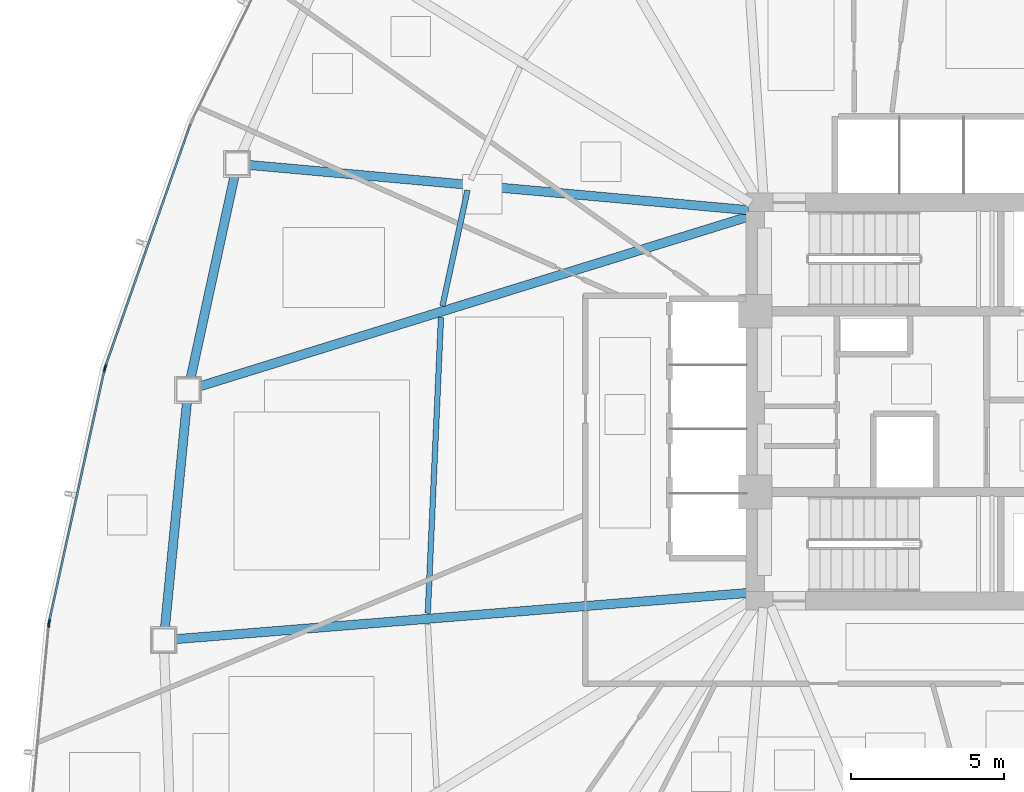
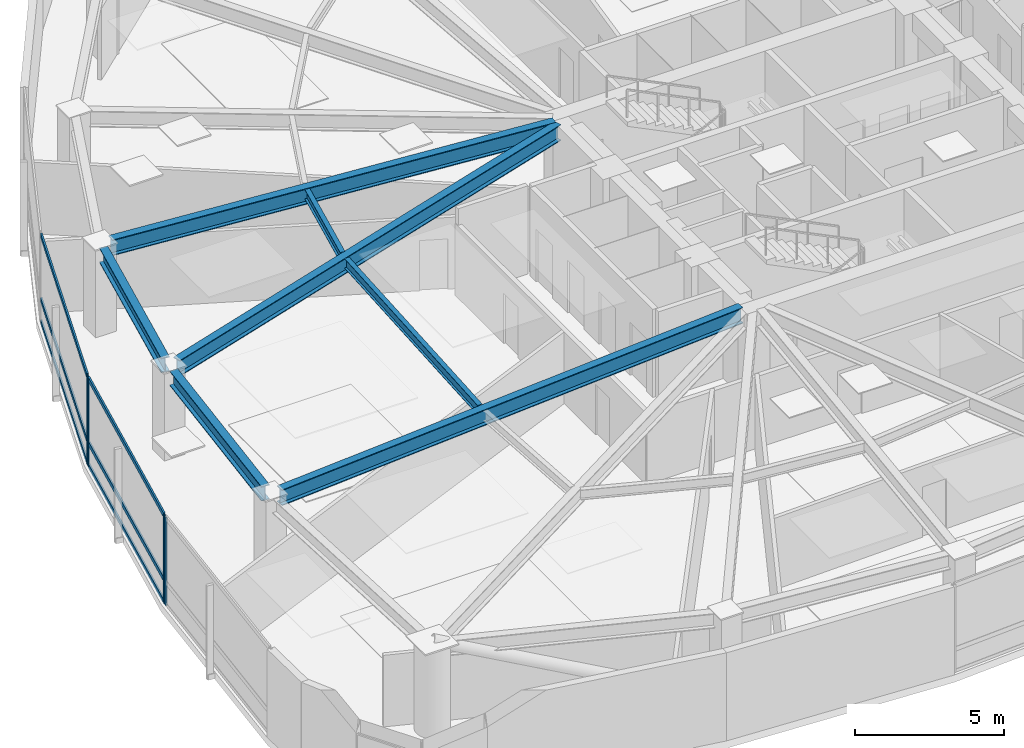
# One storey, part 4 of 18: 10 members, 7 beams, 3 elements without a shape of their own.
"""IFC4 building model written with IfcOpenShell, lengths in metres."""

import ifcopenshell
import ifcopenshell.guid

model = None  # the IFC model being written
_history = None  # IfcOwnerHistory: only IFC2X3 demands one
_inside = {}  # id of a spatial element -> (the spatial element, [elements in it])
_under = {}  # id of a project, library or spatial element -> (it, [spatial elements below it])
_declared = {}  # id of a project -> (the project, [libraries it declares])
_typed = {}  # id of a type object -> (the type object, [elements of that type])
_made_of = {}  # id of a material, layer set ... -> (it, [elements and type objects made of it])


def new_model(schema):
    """Start an empty IFC model of exactly this schema.

    Asked for "IFC4X3", IfcOpenShell would pick the latest addendum, in which some entities
    have other attributes; the version numbers below select the first issue.
    IFC2X3 requires an IfcOwnerHistory on every rooted entity: one is made here for all.
    """
    global model, _history
    if schema == "IFC4X3":
        model = ifcopenshell.file(schema_version=(4, 3, 0, 0))
    else:
        model = ifcopenshell.file(schema=schema)
    _inside.clear()
    _under.clear()
    _declared.clear()
    _typed.clear()
    _made_of.clear()
    _history = None
    if model.schema == "IFC2X3":
        org = make("IfcOrganization", Name="unknown")
        user = make(
            "IfcPersonAndOrganization",
            ThePerson=make("IfcPerson", FamilyName="unknown"),
            TheOrganization=org,
        )
        app = make(
            "IfcApplication",
            ApplicationDeveloper=org,
            Version="unknown",
            ApplicationFullName="unknown",
            ApplicationIdentifier="unknown",
        )
        _history = make(
            "IfcOwnerHistory",
            OwningUser=user,
            OwningApplication=app,
            ChangeAction="ADDED",
            CreationDate=0,
        )
    return model


def make(cls, **values):
    """One entity of the class cls with the attributes given. An attribute that is None is left unset."""
    return model.create_entity(
        cls, **{name: value for name, value in values.items() if value is not None}
    )


def rooted(cls, **values):
    """An entity with a GlobalId (a new one), such as an element, a storey or a relation."""
    return make(cls, GlobalId=ifcopenshell.guid.new(), OwnerHistory=_history, **values)


def si_unit(unit_type, name, prefix=None):
    """IfcSIUnit, for example si_unit("LENGTHUNIT", "METRE", prefix="MILLI")."""
    return make("IfcSIUnit", UnitType=unit_type, Prefix=prefix, Name=name)


def assignment(units):
    """IfcUnitAssignment: the units of a project."""
    return None if units is None else make("IfcUnitAssignment", Units=units)


def point(xyz):
    """IfcCartesianPoint."""
    return None if xyz is None else make("IfcCartesianPoint", Coordinates=xyz)


def direction(xyz):
    """IfcDirection."""
    return None if xyz is None else make("IfcDirection", DirectionRatios=xyz)


def frame(location, z_axis=None, x_axis=None):
    """IfcAxis2Placement3D, a coordinate frame: its origin and axes. An axis left out is left unset."""
    return make(
        "IfcAxis2Placement3D",
        Location=point(location),
        Axis=direction(z_axis),
        RefDirection=direction(x_axis),
    )


def frame_2d(location, x_axis=None):
    """IfcAxis2Placement2D, a coordinate frame in the plane: its origin and x axis."""
    return make(
        "IfcAxis2Placement2D", Location=point(location), RefDirection=direction(x_axis)
    )


def origin():
    """The frame at (0, 0, 0) with its axes left unset."""
    return frame((0.0, 0.0, 0.0))


def origin_2d():
    """The frame at (0, 0) in the plane with its x axis left unset."""
    return frame_2d((0.0, 0.0))


def place(relative_to, where):
    """IfcLocalPlacement: puts the frame where relative to a parent placement (None: the world)."""
    return make(
        "IfcLocalPlacement", PlacementRelTo=relative_to, RelativePlacement=where
    )


def context(
    kind, dimensions, precision=None, world=None, true_north=None, identifier=None
):
    """IfcGeometricRepresentationContext, for example the 3D "Model" context."""
    return make(
        "IfcGeometricRepresentationContext",
        ContextIdentifier=identifier,
        ContextType=kind,
        CoordinateSpaceDimension=dimensions,
        Precision=precision,
        WorldCoordinateSystem=world,
        TrueNorth=true_north,
    )


def subcontext(parent, identifier, kind, view, scale=None):
    """IfcGeometricRepresentationSubContext, for example "Body" below "Model"."""
    return make(
        "IfcGeometricRepresentationSubContext",
        ContextIdentifier=identifier,
        ContextType=kind,
        ParentContext=parent,
        TargetScale=scale,
        TargetView=view,
    )


def project(units=None, contexts=None):
    """IfcProject with its units and contexts."""
    return rooted(
        "IfcProject",
        Name="project",
        RepresentationContexts=contexts,
        UnitsInContext=assignment(units),
    )


def spatial(cls, under=None, at=None, **own):
    """A site, building, storey or space (cls), placed at a placement, below another one or the project."""
    s = rooted(cls, ObjectPlacement=at, **own)
    if under is not None:
        _under.setdefault(under.id(), (under, []))[1].append(s)
    return s


def profile(cls, at=None, kind="AREA", **sizes):
    """A parametric profile (cls). Its sizes go by their IFC names, for example OverallWidth=200.0."""
    return make(cls, ProfileType=kind, Position=at, **sizes)


def hollow_rectangle(**sizes):
    """IfcRectangleHollowProfileDef."""
    return profile("IfcRectangleHollowProfileDef", **sizes)


def i_section(**sizes):
    """IfcIShapeProfileDef."""
    return profile("IfcIShapeProfileDef", **sizes)


def extrude(swept, where, along, depth):
    """IfcExtrudedAreaSolid: the profile swept, set in the frame where, extruded along a direction by depth."""
    return make(
        "IfcExtrudedAreaSolid",
        SweptArea=swept,
        Position=where,
        ExtrudedDirection=direction(along),
        Depth=depth,
    )


def shape(context_of_items, identifier, shape_type, items):
    """IfcShapeRepresentation: the items that make up one representation, for example the "Body"."""
    return make(
        "IfcShapeRepresentation",
        ContextOfItems=context_of_items,
        RepresentationIdentifier=identifier,
        RepresentationType=shape_type,
        Items=items,
    )


def source(mapping_origin, context_of_items, identifier, shape_type, items):
    """IfcRepresentationMap: a shape defined once, which mapped items show again and again."""
    return make(
        "IfcRepresentationMap",
        MappingOrigin=mapping_origin,
        MappedRepresentation=shape(context_of_items, identifier, shape_type, items),
    )


def transform(
    local_origin,
    x_axis=None,
    y_axis=None,
    z_axis=None,
    scale=None,
    scale2=None,
    scale3=None,
    uniform=True,
):
    """IfcCartesianTransformationOperator3D, or its non-uniform kind. x_axis, y_axis, z_axis: its Axis1, 2, 3."""
    if uniform:
        return make(
            "IfcCartesianTransformationOperator3D",
            Axis1=direction(x_axis),
            Axis2=direction(y_axis),
            LocalOrigin=point(local_origin),
            Scale=scale,
            Axis3=direction(z_axis),
        )
    return make(
        "IfcCartesianTransformationOperator3DnonUniform",
        Axis1=direction(x_axis),
        Axis2=direction(y_axis),
        LocalOrigin=point(local_origin),
        Scale=scale,
        Axis3=direction(z_axis),
        Scale2=scale2,
        Scale3=scale3,
    )


def mapped(mapping_source, mapping_target):
    """IfcMappedItem: shows the shape of a source again, moved by a transform."""
    return make(
        "IfcMappedItem", MappingSource=mapping_source, MappingTarget=mapping_target
    )


def material(Name=None, Category=None):
    """IfcMaterial."""
    return make("IfcMaterial", Name=Name, Category=Category)


def layer(
    of_material, thickness, ventilated=None, Name=None, Category=None, Priority=None
):
    """IfcMaterialLayer: one layer of a wall or slab, of a material (None: an air gap)."""
    return make(
        "IfcMaterialLayer",
        Material=of_material,
        LayerThickness=thickness,
        IsVentilated=ventilated,
        Name=Name,
        Category=Category,
        Priority=Priority,
    )


def layer_set(layers, Name=None):
    """IfcMaterialLayerSet."""
    return make("IfcMaterialLayerSet", MaterialLayers=layers, LayerSetName=Name)


def material_profile(
    of_material, cross_section, Name=None, Category=None, Priority=None
):
    """IfcMaterialProfile: a cross section and its material."""
    return make(
        "IfcMaterialProfile",
        Name=Name,
        Material=of_material,
        Profile=cross_section,
        Priority=Priority,
        Category=Category,
    )


def profile_set(profiles, Name=None, composite=None):
    """IfcMaterialProfileSet."""
    return make(
        "IfcMaterialProfileSet",
        Name=Name,
        MaterialProfiles=profiles,
        CompositeProfile=composite,
    )


def made_of(thing, what):
    """Note that an element or type object is made of a material, layer set ...; save() writes the relation."""
    if what is not None:
        _made_of.setdefault(what.id(), (what, []))[1].append(thing)
    return thing


def type_object(cls, material=None, **own):
    """A type object (cls), such as IfcWallType, which elements share."""
    return made_of(rooted(cls, **own), material)


def type_shapes(of_type, sources):
    """Give a type object the sources (RepresentationMaps) that its elements show as mapped items."""
    of_type.RepresentationMaps = sources


def element(
    cls,
    number,
    at=None,
    inside=None,
    cuts=None,
    type_object=None,
    material=None,
    context=None,
    identifier="Body",
    shape_type=None,
    held_by="IfcProductDefinitionShape",
    body=None,
    shapes=None,
    **own,
):
    """One element of the class cls, such as IfcWall. Its Tag is "e" and its number.

    at: its placement. inside: the storey or other place that contains it. cuts: it is an
    opening in that element (IfcRelVoidsElement). A single representation is given by context,
    identifier, shape_type and body (its items); several are given by shapes. held_by: the class
    of the entity that holds the representations. save() writes the other relations.
    """
    e = rooted(cls, Tag="e%d" % number, ObjectPlacement=at, **own)
    if body is not None:
        shapes = [shape(context, identifier, shape_type, body)]
    if shapes is not None:
        e.Representation = make(held_by, Representations=shapes)
    if inside is not None:
        _inside.setdefault(inside.id(), (inside, []))[1].append(e)
    if cuts is not None:
        rooted(
            "IfcRelVoidsElement", RelatingBuildingElement=cuts, RelatedOpeningElement=e
        )
    if type_object is not None:
        _typed.setdefault(type_object.id(), (type_object, []))[1].append(e)
    return made_of(e, material)


def aggregate(whole, parts):
    """IfcRelAggregates: a whole, such as a stair, and the parts it consists of."""
    return rooted("IfcRelAggregates", RelatingObject=whole, RelatedObjects=parts)


def save(model, path):
    """Write the relations noted so far, then the file.

    IfcRelAggregates (storeys below a building ...), IfcRelContainedInSpatialStructure (elements
    in a storey), IfcRelDefinesByType, IfcRelAssociatesMaterial and IfcRelDeclares: one each for
    every whole, place, type object, material and project.
    """
    for whole, parts in _under.values():
        aggregate(whole, parts)
    for where, things in _inside.values():
        rooted(
            "IfcRelContainedInSpatialStructure",
            RelatedElements=things,
            RelatingStructure=where,
        )
    for kind, things in _typed.values():
        rooted("IfcRelDefinesByType", RelatedObjects=things, RelatingType=kind)
    for what, things in _made_of.values():
        rooted("IfcRelAssociatesMaterial", RelatedObjects=things, RelatingMaterial=what)
    for by, libraries in _declared.values():
        rooted("IfcRelDeclares", RelatingContext=by, RelatedDefinitions=libraries)
    model.write(path)


model = new_model("IFC4")

# Units and contexts
model_context = context("Model", 3, precision=1e-05, world=origin(), true_north=direction((0.0, 1.0)))
body_context = subcontext(model_context, "Body", "Model", "MODEL_VIEW")
ifc_project = project(units=[si_unit("LENGTHUNIT", "METRE"), si_unit("AREAUNIT", "SQUARE_METRE"), si_unit("VOLUMEUNIT", "CUBIC_METRE"), si_unit("PLANEANGLEUNIT", "RADIAN"), si_unit("MASSUNIT", "GRAM", prefix="KILO")], contexts=[model_context])

# Site, building, storey
site_placement = place(None, origin())
site = spatial("IfcSite", under=ifc_project, at=site_placement, CompositionType="ELEMENT")
building_placement = place(site_placement, origin())
building = spatial("IfcBuilding", under=site, at=building_placement, Name="Tavelor Broadcast Tower", CompositionType="ELEMENT")
storey_placement = place(building_placement, frame((0.0, 0.0, 54.89990234375)))
storey = spatial("IfcBuildingStorey", under=building, at=storey_placement, Name="L12", CompositionType="ELEMENT", Elevation=54.89990234375)

# Beams
ifc_material_1 = material(Name="Steel S355", Category="steel")
ifc_material_profile_1 = material_profile(ifc_material_1, i_section(OverallWidth=0.179931640625, OverallDepth=0.39990234375, WebThickness=0.008544921875, FlangeThickness=0.013427734375, at=origin_2d()), Name="IPE 400")
ifc_profile_set_1 = profile_set([ifc_material_profile_1], Name="Steel S355")
beam_type_1 = type_object("IfcBeamType", Name="Composite Floor Joist T1 IPE 400", PredefinedType="JOIST", material=ifc_profile_set_1)
beam_1_placement = place(storey_placement, frame((33.70654296875, 51.897216796875, 3.400146484375), z_axis=(-0.211371868345, -0.977405715797, 0.0), x_axis=(0.977405715797, -0.211371868345, 0.0)))
element("IfcBeam", 1, at=beam_1_placement, inside=storey, type_object=beam_type_1, Name="L12 Secondary Composite Floor Joist 04", PredefinedType="JOIST", context=body_context, shape_type="SweptSolid", body=[
    extrude(i_section(OverallWidth=0.179931640625, OverallDepth=0.39990234375, WebThickness=0.008544921875, FlangeThickness=0.013427734375, at=origin_2d()), origin(), (0.0, 0.0, 1.0), 3.87158203125),
])
beam_2_placement = place(storey_placement, frame((32.841796875, 47.75537109375, 3.400146484375), z_axis=(-0.044449316538, -0.999011640703, 0.0), x_axis=(0.999011640703, -0.044449316538, 0.0)))
element("IfcBeam", 2, at=beam_2_placement, inside=storey, type_object=beam_type_1, Name="L12 Secondary Composite Floor Joist 05", PredefinedType="JOIST", context=body_context, shape_type="SweptSolid", body=[
    extrude(i_section(OverallWidth=0.179931640625, OverallDepth=0.39990234375, WebThickness=0.008544921875, FlangeThickness=0.013427734375, at=origin_2d()), origin(), (0.0, 0.0, 1.0), 9.67236328125),
])
ifc_material_profile_2 = material_profile(ifc_material_1, i_section(OverallWidth=0.300048828125, OverallDepth=0.60009765625, WebThickness=0.015380859375, FlangeThickness=0.030029296875, at=origin_2d()), Name="HEB 600")
ifc_profile_set_2 = profile_set([ifc_material_profile_2], Name="Steel S355")
beam_type_2 = type_object("IfcBeamType", Name="Perimeter Spandrel Beam T1 HEB 600", PredefinedType="SPANDREL", material=ifc_profile_set_2)
beam_3_placement = place(storey_placement, frame((26.10791015625, 52.3828125, 3.300048828125), z_axis=(-0.211857092451, -0.977300656082, 0.0), x_axis=(0.977300656082, -0.211857092451, 0.0)))
element("IfcBeam", 3, at=beam_3_placement, inside=storey, type_object=beam_type_2, Name="L12 Framed-Tube Ring Spandrel 04", PredefinedType="SPANDREL", context=body_context, shape_type="SweptSolid", body=[
    extrude(i_section(OverallWidth=0.300048828125, OverallDepth=0.60009765625, WebThickness=0.015380859375, FlangeThickness=0.030029296875, at=origin_2d()), origin(), (0.0, 0.0, 1.0), 6.780517578125),
])
beam_4_placement = place(storey_placement, frame((24.552734375, 44.99853515625, 3.300048828125), z_axis=(-0.096967474029, -0.995287550902, 0.0), x_axis=(0.995287550902, -0.096967474029, 0.0)))
element("IfcBeam", 4, at=beam_4_placement, inside=storey, type_object=beam_type_2, Name="L12 Framed-Tube Ring Spandrel 05", PredefinedType="SPANDREL", context=body_context, shape_type="SweptSolid", body=[
    extrude(i_section(OverallWidth=0.300048828125, OverallDepth=0.60009765625, WebThickness=0.015380859375, FlangeThickness=0.030029296875, at=origin_2d()), origin(), (0.0, 0.0, 1.0), 7.43505859375),
])
ifc_material_profile_3 = material_profile(ifc_material_1, i_section(OverallWidth=0.300048828125, OverallDepth=0.64990234375, WebThickness=0.01611328125, FlangeThickness=0.031005859375, at=origin_2d()), Name="HEB 650")
ifc_profile_set_3 = profile_set([ifc_material_profile_3], Name="Steel S355")
beam_type_3 = type_object("IfcBeamType", Name="Radial Floor Girder T1 HEB 650", PredefinedType="BEAM", material=ifc_profile_set_3)
beam_5_placement = place(storey_placement, frame((42.874267578125, 51.24755859375, 3.275146484375), z_axis=(-0.995926026359, 0.090173998583, 0.0), x_axis=(-0.090173998583, -0.995926026359, 0.0)))
element("IfcBeam", 5, at=beam_5_placement, inside=storey, type_object=beam_type_3, Name="L12 Radial Primary Floor Girder 04", PredefinedType="BEAM", context=body_context, shape_type="SweptSolid", body=[
    extrude(i_section(OverallWidth=0.300048828125, OverallDepth=0.64990234375, WebThickness=0.01611328125, FlangeThickness=0.031005859375, at=origin_2d()), origin(), (0.0, 0.0, 1.0), 16.369140625),
])
beam_6_placement = place(storey_placement, frame((42.8955078125, 51.0439453125, 3.275146484375), z_axis=(-0.955325842182, -0.29555462314, 0.0), x_axis=(0.29555462314, -0.955325842182, 0.0)))
element("IfcBeam", 6, at=beam_6_placement, inside=storey, type_object=beam_type_3, Name="L12 Radial Primary Floor Girder 05", PredefinedType="BEAM", context=body_context, shape_type="SweptSolid", body=[
    extrude(i_section(OverallWidth=0.300048828125, OverallDepth=0.64990234375, WebThickness=0.01611328125, FlangeThickness=0.031005859375, at=origin_2d()), origin(), (0.0, 0.0, 1.0), 18.777587890625),
])
beam_7_placement = place(storey_placement, frame((42.873779296875, 38.757568359375, 3.275146484375), z_axis=(-0.996753315624, -0.080516009538, 0.0), x_axis=(0.080516009538, -0.996753315624, 0.0)))
element("IfcBeam", 7, at=beam_7_placement, inside=storey, type_object=beam_type_3, Name="L12 Radial Primary Floor Girder 06", PredefinedType="BEAM", context=body_context, shape_type="SweptSolid", body=[
    extrude(i_section(OverallWidth=0.300048828125, OverallDepth=0.64990234375, WebThickness=0.01611328125, FlangeThickness=0.031005859375, at=origin_2d()), origin(), (0.0, 0.0, 1.0), 18.757080078125),
])

# Curtain wall, member
ifc_material_2 = material(Name="Architectural Anodized Aluminium", Category="aluminium")
ifc_layer = layer(ifc_material_2, 0.179931640625)
ifc_layer_set = layer_set([ifc_layer], Name="Architectural Anodized Aluminium")
curtain_wall_type = type_object("IfcCurtainWallType", Name="Tower Low-Zone Unitised Curtain Wall CW02", PredefinedType="NOTDEFINED", material=ifc_layer_set)
curtain_wall_1_placement = place(storey_placement, origin())
curtain_wall_1 = element("IfcCurtainWall", 8, at=curtain_wall_1_placement, inside=storey, type_object=curtain_wall_type, Name="L12 Curtain Wall CW02 Run 98", PredefinedType="NOTDEFINED")
ifc_material_profile_4 = material_profile(ifc_material_2, hollow_rectangle(XDim=0.06494140625, YDim=0.179931640625, WallThickness=0.02197265625, at=origin_2d()), Name="RHS 65x180x22")
ifc_profile_set_4 = profile_set([ifc_material_profile_4], Name="Architectural Anodized Aluminium")
member_type_1 = type_object("IfcMemberType", Name="CW02 Extruded Aluminium Mullion 65x180", PredefinedType="MULLION", material=ifc_profile_set_4)
shared_shape_1 = source(origin(), body_context, "Body", "SweptSolid", [
    extrude(hollow_rectangle(XDim=0.06494140625, YDim=0.179931640625, WallThickness=0.02197265625, at=origin_2d()), origin(), (0.0, 0.0, 1.0), 3.60009765625),
])
type_shapes(member_type_1, [shared_shape_1])
member_1_placement = place(storey_placement, frame((21.889404296875, 46.13330078125, 0.0), z_axis=(0.0, 0.0, 1.0), x_axis=(0.943661256403, -0.330913029609, 0.0)))
member_1 = element("IfcMember", 9, at=member_1_placement, type_object=member_type_1, Name="CW02 mullion 2", PredefinedType="MULLION", context=body_context, shape_type="MappedRepresentation", body=[
    mapped(shared_shape_1, transform((0.0, 0.0, 0.0), scale=1.0)),
])

# Curtain wall, members
curtain_wall_2_placement = place(storey_placement, origin())
curtain_wall_2 = element("IfcCurtainWall", 10, at=curtain_wall_2_placement, inside=storey, type_object=curtain_wall_type, Name="L12 Curtain Wall CW02 Run 99", PredefinedType="NOTDEFINED")
member_2_placement = place(storey_placement, frame((21.863525390625, 46.042236328125, 0.0), z_axis=(0.0, 0.0, 1.0), x_axis=(0.97676853285, -0.214297067724, 0.0)))
member_2 = element("IfcMember", 11, at=member_2_placement, type_object=member_type_1, Name="CW02 mullion 1", PredefinedType="MULLION", context=body_context, shape_type="MappedRepresentation", body=[
    mapped(shared_shape_1, transform((0.0, 0.0, 0.0), scale=1.0)),
])
member_3_placement = place(storey_placement, frame((20.058837890625, 37.81640625, 0.0), z_axis=(0.0, 0.0, 1.0), x_axis=(0.97676853285, -0.214297067724, 0.0)))
member_3 = element("IfcMember", 12, at=member_3_placement, type_object=member_type_1, Name="CW02 mullion 2", PredefinedType="MULLION", context=body_context, shape_type="MappedRepresentation", body=[
    mapped(shared_shape_1, transform((0.0, 0.0, 0.0), scale=1.0)),
])

# Curtain wall, member
curtain_wall_3_placement = place(storey_placement, origin())
curtain_wall_3 = element("IfcCurtainWall", 13, at=curtain_wall_3_placement, inside=storey, type_object=curtain_wall_type, Name="L12 Curtain Wall CW02 Run 100", PredefinedType="NOTDEFINED")
member_4_placement = place(storey_placement, frame((20.044189453125, 37.72265625, 0.0), z_axis=(0.0, 0.0, 1.0), x_axis=(0.995523445141, -0.094514920377, 0.0)))
member_4 = element("IfcMember", 14, at=member_4_placement, type_object=member_type_1, Name="CW02 mullion 1", PredefinedType="MULLION", context=body_context, shape_type="MappedRepresentation", body=[
    mapped(shared_shape_1, transform((0.0, 0.0, 0.0), scale=1.0)),
])
aggregate(curtain_wall_3, [member_4])

# Member
ifc_material_profile_5 = material_profile(ifc_material_2, hollow_rectangle(XDim=0.06494140625, YDim=0.179931640625, WallThickness=0.02197265625, at=origin_2d()), Name="RHS 65x180x22")
ifc_profile_set_5 = profile_set([ifc_material_profile_5], Name="Architectural Anodized Aluminium")
member_type_2 = type_object("IfcMemberType", Name="CW02 Extruded Aluminium Transom 65x180", PredefinedType="USERDEFINED", material=ifc_profile_set_5)
shared_shape_2 = source(origin(), body_context, "Body", "SweptSolid", [
    extrude(hollow_rectangle(XDim=0.06494140625, YDim=0.179931640625, WallThickness=0.02197265625, at=origin_2d()), origin(), (0.0, 0.0, 1.0), 8.356689453125),
])
member_5_placement = place(storey_placement, frame((24.66552734375, 54.0498046875, 0.03271484375), z_axis=(-0.330922959966, -0.943657774072, 0.0), x_axis=(0.943657774072, -0.330922959966, 0.0)))
member_5 = element("IfcMember", 15, at=member_5_placement, type_object=member_type_2, Name="CW02 transom 1.1", ObjectType="TRANSOM", PredefinedType="USERDEFINED", context=body_context, shape_type="MappedRepresentation", body=[
    mapped(shared_shape_2, transform((0.0, 0.0, 0.0), scale=1.0)),
])

member_6_placement = place(storey_placement, frame((24.66552734375, 54.0498046875, 0.9501953125), z_axis=(-0.330922959966, -0.943657774072, 0.0), x_axis=(0.943657774072, -0.330922959966, 0.0)))
member_6 = element("IfcMember", 16, at=member_6_placement, type_object=member_type_2, Name="CW02 transom 1.2", ObjectType="TRANSOM", PredefinedType="USERDEFINED", context=body_context, shape_type="MappedRepresentation", body=[
    mapped(shared_shape_2, transform((0.0, 0.0, 0.0), scale=1.0)),
])

member_7_placement = place(storey_placement, frame((24.66552734375, 54.0498046875, 3.567626953125), z_axis=(-0.330922959966, -0.943657774072, 0.0), x_axis=(0.943657774072, -0.330922959966, 0.0)))
member_7 = element("IfcMember", 17, at=member_7_placement, type_object=member_type_2, Name="CW02 transom 1.3", ObjectType="TRANSOM", PredefinedType="USERDEFINED", context=body_context, shape_type="MappedRepresentation", body=[
    mapped(shared_shape_2, transform((0.0, 0.0, 0.0), scale=1.0)),
])

aggregate(curtain_wall_1, [member_1, member_5, member_6, member_7])

shared_shape_3 = source(origin(), body_context, "Body", "SweptSolid", [
    extrude(hollow_rectangle(XDim=0.06494140625, YDim=0.179931640625, WallThickness=0.02197265625, at=origin_2d()), origin(), (0.0, 0.0, 1.0), 8.3564453125),
])
type_shapes(member_type_2, [shared_shape_2, shared_shape_3])
member_8_placement = place(storey_placement, frame((21.856689453125, 46.010498046875, 0.03271484375), z_axis=(-0.214297162559, -0.976768512043, 0.0), x_axis=(0.976768512043, -0.214297162559, 0.0)))
member_8 = element("IfcMember", 18, at=member_8_placement, type_object=member_type_2, Name="CW02 transom 1.1", ObjectType="TRANSOM", PredefinedType="USERDEFINED", context=body_context, shape_type="MappedRepresentation", body=[
    mapped(shared_shape_3, transform((0.0, 0.0, 0.0), scale=1.0)),
])

member_9_placement = place(storey_placement, frame((21.856689453125, 46.010498046875, 0.9501953125), z_axis=(-0.214297162559, -0.976768512043, 0.0), x_axis=(0.976768512043, -0.214297162559, 0.0)))
member_9 = element("IfcMember", 19, at=member_9_placement, type_object=member_type_2, Name="CW02 transom 1.2", ObjectType="TRANSOM", PredefinedType="USERDEFINED", context=body_context, shape_type="MappedRepresentation", body=[
    mapped(shared_shape_3, transform((0.0, 0.0, 0.0), scale=1.0)),
])

member_10_placement = place(storey_placement, frame((21.856689453125, 46.010498046875, 3.567626953125), z_axis=(-0.214297162559, -0.976768512043, 0.0), x_axis=(0.976768512043, -0.214297162559, 0.0)))
member_10 = element("IfcMember", 20, at=member_10_placement, type_object=member_type_2, Name="CW02 transom 1.3", ObjectType="TRANSOM", PredefinedType="USERDEFINED", context=body_context, shape_type="MappedRepresentation", body=[
    mapped(shared_shape_3, transform((0.0, 0.0, 0.0), scale=1.0)),
])

aggregate(curtain_wall_2, [member_2, member_3, member_8, member_9, member_10])

save(model, "model.ifc")
